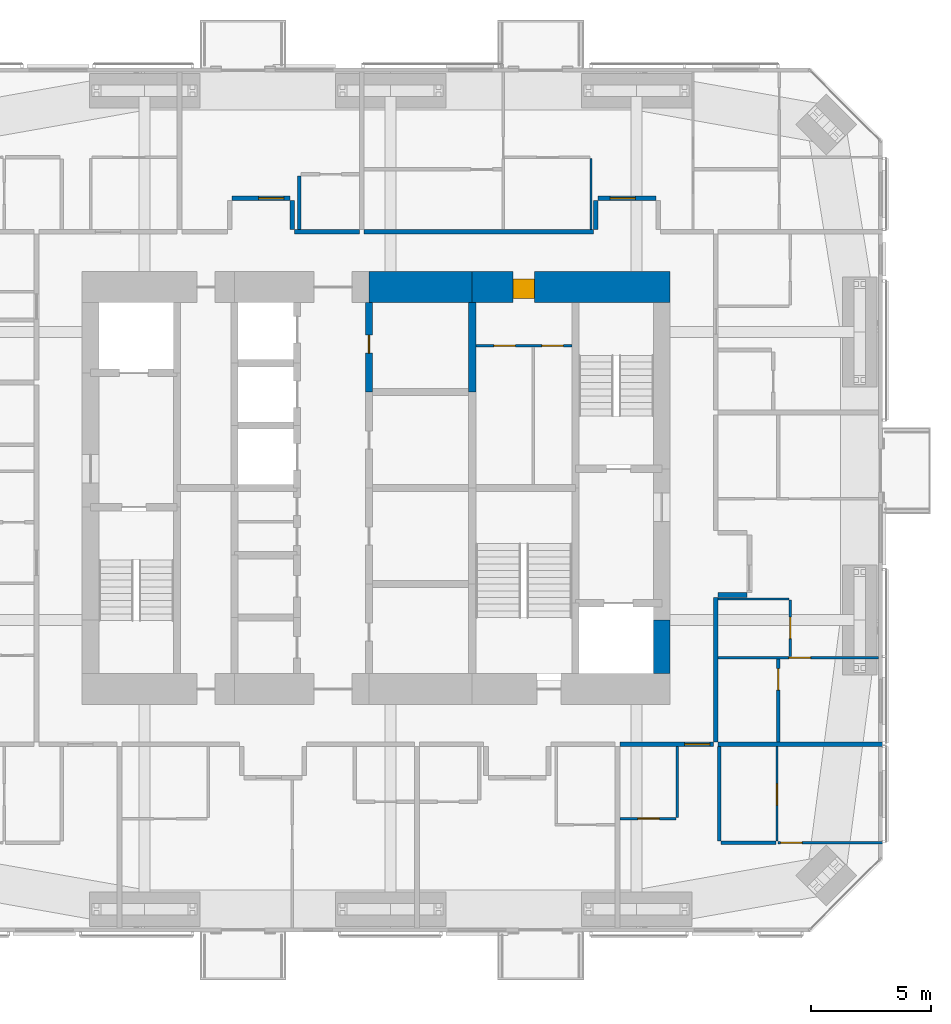
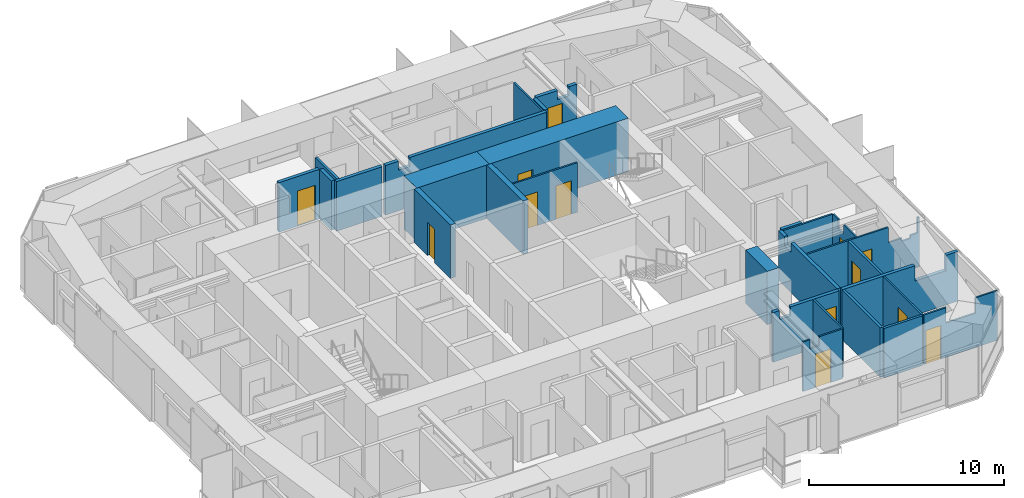
# One storey, part 19 of 23: 28 walls, 13 doors, 13 openings.
"""IFC4 building model written with IfcOpenShell, lengths in metres."""

from ifc_helpers import new_model, si_unit, direction, frame, frame_2d, origin, place, context, subcontext, project, spatial, polyline, rectangle, outline, extrude, material, layer, layer_set, constituent, constituent_set, type_object, element, fill, save


model = new_model("IFC4")

# Units and contexts
model_context = context("Model", 3, precision=1e-05, world=origin(), true_north=direction((0.0, 1.0)))
body_context = subcontext(model_context, "Body", "Model", "MODEL_VIEW")
ifc_project = project(units=[si_unit("LENGTHUNIT", "METRE"), si_unit("AREAUNIT", "SQUARE_METRE"), si_unit("VOLUMEUNIT", "CUBIC_METRE"), si_unit("PLANEANGLEUNIT", "RADIAN"), si_unit("MASSUNIT", "GRAM", prefix="KILO")], contexts=[model_context])

# Site, building, storey
site_placement = place(None, origin())
site = spatial("IfcSite", under=ifc_project, at=site_placement, CompositionType="ELEMENT")
building_placement = place(site_placement, origin())
building = spatial("IfcBuilding", under=site, at=building_placement, Name="Jalousie Tower", CompositionType="ELEMENT")
storey_placement = place(building_placement, frame((0.0, 0.0, 167.75)))
storey = spatial("IfcBuildingStorey", under=building, at=storey_placement, Name="L45", CompositionType="ELEMENT", Elevation=167.75)

# Walls
ifc_material_1 = material(Name="Concrete block ASTM C90", Category="concrete")
ifc_constituent_1 = constituent(ifc_material_1, Name="Body")
ifc_material_2 = material(Name="Render")
ifc_constituent_2 = constituent(ifc_material_2, Name="Finish")
ifc_constituent_set_1 = constituent_set(constituents=[ifc_constituent_1, ifc_constituent_2])
wall_type_1 = type_object("IfcWallType", Name="BATHROOM WALL 150", PredefinedType="PLUMBINGWALL", material=ifc_constituent_set_1)
wall_1_placement = place(storey_placement, frame((46.27490234375, 3.72119140625, 0.0), z_axis=(0.0, 0.0, 1.0), x_axis=(1.0, 0.0, 0.0)))
element("IfcWall", 1, at=wall_1_placement, inside=storey, type_object=wall_type_1, Name="Bathroom Wall 150 L45", PredefinedType="PLUMBINGWALL", context=body_context, shape_type="SweptSolid", body=[
    extrude(rectangle(XDim=2.275146484375, YDim=0.14990234375, at=frame_2d((1.1376953125, 0.0))), origin(), (0.0, 0.0, 1.0), 3.110107421875),
])
wall_2_placement = place(storey_placement, frame((46.199951171875, 3.79638671875, 0.0), z_axis=(0.0, 0.0, 1.0), x_axis=(0.0, 1.0, 0.0)))
element("IfcWall", 2, at=wall_2_placement, inside=storey, type_object=wall_type_1, Name="Bathroom Wall 150 L45", PredefinedType="PLUMBINGWALL", context=body_context, shape_type="SweptSolid", body=[
    extrude(rectangle(XDim=3.9287109375, YDim=0.14990234375, at=frame_2d((1.96435546875, 0.0))), origin(), (0.0, 0.0, 1.0), 3.110107421875),
])
wall_3_placement = place(storey_placement, frame((28.699951171875, 31.5, 0.0), z_axis=(0.0, 0.0, 1.0), x_axis=(0.0, -1.0, 0.0)))
element("IfcWall", 3, at=wall_3_placement, inside=storey, type_object=wall_type_1, Name="Bathroom Wall 150 L45", PredefinedType="PLUMBINGWALL", context=body_context, shape_type="SweptSolid", body=[
    extrude(rectangle(XDim=2.22509765625, YDim=0.14990234375, at=frame_2d((1.112548828125, 0.0))), origin(), (0.0, 0.0, 1.0), 3.110107421875),
])

# Wall, opening, door
wall_4_placement = place(storey_placement, frame((48.64990234375, 7.925048828125, 0.0), z_axis=(0.0, 0.0, 1.0), x_axis=(0.0, 1.0, 0.0)))
wall_4 = element("IfcWall", 4, at=wall_4_placement, inside=storey, type_object=wall_type_1, Name="Bathroom Wall 150 L45", PredefinedType="PLUMBINGWALL", context=body_context, shape_type="SweptSolid", body=[
    extrude(rectangle(XDim=3.449951171875, YDim=0.14990234375, at=frame_2d((1.72509765625, 0.0))), origin(), (0.0, 0.0, 1.0), 3.110107421875),
])
opening_1_placement = place(wall_4_placement, frame((2.14990234375, 0.0, 0.0)))
opening_1 = element("IfcOpeningElement", 5, at=opening_1_placement, cuts=wall_4, Name="Opening D3", PredefinedType="OPENING", context=body_context, shape_type="SweptSolid", body=[
    extrude(rectangle(XDim=0.89990234375, YDim=2.10009765625, at=frame_2d((0.449951171875, 1.050048828125))), frame((0.0, 0.0849609375, 0.0), z_axis=(0.0, -1.0, 0.0), x_axis=(1.0, 0.0, 0.0)), (0.0, 0.0, 1.0), 0.169921875),
])
ifc_material_3 = material(Name="Timber door", Category="wood")
door_type_1 = type_object("IfcDoorType", Name="BATHROOM DOOR 900", OperationType="SINGLE_SWING_LEFT", PredefinedType="DOOR", material=ifc_material_3)
door_1_placement = place(opening_1_placement, origin())
door_1 = element("IfcDoor", 6, at=door_1_placement, inside=storey, type_object=door_type_1, Name="Apartment 4510 bedroom 1 bathroom door", OperationType="SINGLE_SWING_RIGHT", OverallHeight=2.10009765625, OverallWidth=0.89990234375, PredefinedType="DOOR", context=body_context, shape_type="SweptSolid", body=[
    extrude(rectangle(XDim=0.89990234375, YDim=2.10009765625, at=frame_2d((0.449951171875, 1.050048828125))), frame((0.0, 0.02490234375, 0.0), z_axis=(0.0, -1.0, 0.0), x_axis=(1.0, 0.0, 0.0)), (0.0, 0.0, 1.0), 0.050048828125),
])
fill(opening_1, door_1)

ifc_material_4 = material(Name="Concrete f'c 120 MPa", Category="concrete")
ifc_layer_1 = layer(ifc_material_4, 1.300048828125)
ifc_layer_set_1 = layer_set([ifc_layer_1], Name="Concrete f'c 120 MPa")
wall_type_2 = type_object("IfcWallType", Name="CORE WALL 1300", PredefinedType="SHEAR", material=ifc_layer_set_1)
wall_5_placement = place(storey_placement, frame((44.14990234375, 26.875, 0.0), z_axis=(0.0, 0.0, 1.0), x_axis=(-1.0, 0.0, 0.0)))
wall_5 = element("IfcWall", 7, at=wall_5_placement, inside=storey, type_object=wall_type_2, Name="Core wall NA L45", PredefinedType="SHEAR", context=body_context, shape_type="SweptSolid", body=[
    extrude(rectangle(XDim=8.25, YDim=1.300048828125, at=frame_2d((4.125, 0.0))), origin(), (0.0, 0.0, 1.0), 3.35009765625),
])
opening_2_placement = place(wall_5_placement, frame((5.64990234375, 0.0, 0.0)))
opening_2 = element("IfcOpeningElement", 8, at=opening_2_placement, cuts=wall_5, Name="Opening D25", PredefinedType="OPENING", context=body_context, shape_type="SweptSolid", body=[
    extrude(rectangle(XDim=0.89990234375, YDim=2.10009765625, at=frame_2d((0.449951171875, 1.050048828125))), frame((0.0, 0.659912109375, 0.0), z_axis=(0.0, -1.0, 0.0), x_axis=(1.0, 0.0, 0.0)), (0.0, 0.0, 1.0), 1.320068359375),
])
ifc_material_5 = material(Name="Steel fire door", Category="steel")
door_type_2 = type_object("IfcDoorType", Name="SERVICE LOBBY DOOR 900", OperationType="SINGLE_SWING_LEFT", PredefinedType="DOOR", material=ifc_material_5)
door_2_placement = place(opening_2_placement, origin())
door_2 = element("IfcDoor", 9, at=door_2_placement, inside=storey, type_object=door_type_2, Name="Service lobby door", OperationType="SINGLE_SWING_RIGHT", OverallHeight=2.10009765625, OverallWidth=0.89990234375, PredefinedType="DOOR", context=body_context, shape_type="SweptSolid", body=[
    extrude(rectangle(XDim=0.89990234375, YDim=2.10009765625, at=frame_2d((0.449951171875, 1.050048828125))), frame((0.0, 0.47021484375, 0.0), z_axis=(0.0, -1.0, 0.0), x_axis=(1.0, 0.0, 0.0)), (0.0, 0.0, 1.0), 0.800048828125),
])
fill(opening_2, door_2)

# Wall
wall_6_placement = place(storey_placement, frame((35.89990234375, 26.875, 0.0), z_axis=(0.0, 0.0, 1.0), x_axis=(-1.0, 0.0, 0.0)))
element("IfcWall", 10, at=wall_6_placement, inside=storey, type_object=wall_type_2, Name="Core wall NB L45", PredefinedType="SHEAR", context=body_context, shape_type="SweptSolid", body=[
    extrude(rectangle(XDim=4.2998046875, YDim=1.300048828125, at=frame_2d((2.14990234375, 0.0))), origin(), (0.0, 0.0, 1.0), 3.35009765625),
])

# Wall, opening, door
ifc_material_6 = material(Name="Concrete f'c 120 MPa", Category="concrete")
ifc_layer_2 = layer(ifc_material_6, 0.300048828125)
ifc_layer_set_2 = layer_set([ifc_layer_2], Name="Concrete f'c 120 MPa")
wall_type_3 = type_object("IfcWallType", Name="CORE WALL 300", PredefinedType="SHEAR", material=ifc_layer_set_2)
wall_7_placement = place(storey_placement, frame((31.60009765625, 22.5, 0.0), z_axis=(0.0, 0.0, 1.0), x_axis=(0.0, 1.0, 0.0)))
wall_7 = element("IfcWall", 11, at=wall_7_placement, inside=storey, type_object=wall_type_3, Name="Core wall X31.6D L45", PredefinedType="SHEAR", context=body_context, shape_type="SweptSolid", body=[
    extrude(rectangle(XDim=3.72509765625, YDim=0.300048828125, at=frame_2d((1.862548828125, 0.0))), origin(), (0.0, 0.0, 1.0), 3.35009765625),
])
opening_3_placement = place(wall_7_placement, frame((1.625, 0.0, 0.0)))
opening_3 = element("IfcOpeningElement", 12, at=opening_3_placement, cuts=wall_7, Name="Opening D16", PredefinedType="OPENING", context=body_context, shape_type="SweptSolid", body=[
    extrude(rectangle(XDim=0.75, YDim=2.10009765625, at=frame_2d((0.375, 1.050048828125))), frame((0.0, 0.159912109375, 0.0), z_axis=(0.0, -1.0, 0.0), x_axis=(1.0, 0.0, 0.0)), (0.0, 0.0, 1.0), 0.320068359375),
])
ifc_material_7 = material(Name="Steel fire door", Category="steel")
door_type_3 = type_object("IfcDoorType", Name="RISER DOOR 750", OperationType="SINGLE_SWING_LEFT", PredefinedType="DOOR", material=ifc_material_7)
door_3_placement = place(opening_3_placement, frame((0.75, 0.0, 0.0), z_axis=(0.0, 0.0, 1.0), x_axis=(-1.0, 0.0, 0.0)))
door_3 = element("IfcDoor", 13, at=door_3_placement, inside=storey, type_object=door_type_3, Name="Water Services Room door", OperationType="SINGLE_SWING_LEFT", OverallHeight=2.10009765625, OverallWidth=0.75, PredefinedType="DOOR", context=body_context, shape_type="SweptSolid", body=[
    extrude(rectangle(XDim=0.75, YDim=2.10009765625, at=frame_2d((0.375, 1.050048828125))), frame((0.0, 0.02490234375, 0.0), z_axis=(0.0, -1.0, 0.0), x_axis=(1.0, 0.0, 0.0)), (0.0, 0.0, 1.0), 0.050048828125),
])
fill(opening_3, door_3)

# Walls
wall_8_placement = place(storey_placement, frame((35.89990234375, 22.5, 0.0), z_axis=(0.0, 0.0, 1.0), x_axis=(0.0, 1.0, 0.0)))
element("IfcWall", 14, at=wall_8_placement, inside=storey, type_object=wall_type_3, Name="Core wall X35.9D L45", PredefinedType="SHEAR", context=body_context, shape_type="SweptSolid", body=[
    extrude(rectangle(XDim=3.72509765625, YDim=0.300048828125, at=frame_2d((1.862548828125, 0.0))), origin(), (0.0, 0.0, 1.0), 3.35009765625),
])
ifc_material_8 = material(Name="Concrete f'c 120 MPa", Category="concrete")
ifc_layer_3 = layer(ifc_material_8, 0.699951171875)
ifc_layer_set_3 = layer_set([ifc_layer_3], Name="Concrete f'c 120 MPa")
wall_type_4 = type_object("IfcWallType", Name="CORE WALL 700", PredefinedType="SHEAR", material=ifc_layer_set_3)
wall_9_placement = place(storey_placement, frame((43.800048828125, 10.77490234375, 0.0), z_axis=(0.0, 0.0, 1.0), x_axis=(0.0, 1.0, 0.0)))
element("IfcWall", 15, at=wall_9_placement, inside=storey, type_object=wall_type_4, Name="Core wall EA L45", PredefinedType="SHEAR", context=body_context, shape_type="SweptSolid", body=[
    extrude(rectangle(XDim=2.22509765625, YDim=0.699951171875, at=frame_2d((1.112548828125, 0.0))), origin(), (0.0, 0.0, 1.0), 3.35009765625),
])

# Wall, opening, door
ifc_material_9 = material(Name="Concrete block ASTM C90", Category="concrete")
ifc_constituent_3 = constituent(ifc_material_9, Name="Body")
ifc_material_10 = material(Name="Render")
ifc_constituent_4 = constituent(ifc_material_10, Name="Finish")
ifc_constituent_set_2 = constituent_set(constituents=[ifc_constituent_3, ifc_constituent_4])
wall_type_5 = type_object("IfcWallType", Name="CORRIDOR WALL 200", PredefinedType="PARTITIONING", material=ifc_constituent_set_2)
wall_10_placement = place(storey_placement, frame((42.050048828125, 7.824951171875, 0.0), z_axis=(0.0, 0.0, 1.0), x_axis=(1.0, 0.0, 0.0)))
wall_10 = element("IfcWall", 16, at=wall_10_placement, inside=storey, type_object=wall_type_5, Name="Corridor Wall 200 L45", PredefinedType="PARTITIONING", context=body_context, shape_type="SweptSolid", body=[
    extrude(outline(polyline([(0.0, 0.0), (3.89990234375, 0.0), (3.89990234375, 3.110107421875), (1.037353515625, 3.110107421875), (1.037353515625, 2.541015625), (0.362548828125, 2.541015625), (0.362548828125, 3.110107421875), (0.0, 3.110107421875), (0.0, 0.0)])), frame((0.0, 0.10009765625, 0.0), z_axis=(0.0, -1.0, 0.0), x_axis=(1.0, 0.0, 0.0)), (0.0, 0.0, 1.0), 0.199951171875),
])
opening_4_placement = place(wall_10_placement, frame((2.699951171875, 0.0, 0.0)))
opening_4 = element("IfcOpeningElement", 17, at=opening_4_placement, cuts=wall_10, Name="Opening D1", PredefinedType="OPENING", context=body_context, shape_type="SweptSolid", body=[
    extrude(rectangle(XDim=1.050048828125, YDim=2.199951171875, at=frame_2d((0.52490234375, 1.10009765625))), frame((0.0, 0.10986328125, 0.0), z_axis=(0.0, -1.0, 0.0), x_axis=(1.0, 0.0, 0.0)), (0.0, 0.0, 1.0), 0.219970703125),
])
ifc_material_11 = material(Name="Timber fire door", Category="wood")
door_type_4 = type_object("IfcDoorType", Name="APARTMENT ENTRANCE DOOR 1050", OperationType="SINGLE_SWING_LEFT", PredefinedType="DOOR", material=ifc_material_11)
door_4_placement = place(opening_4_placement, frame((1.050048828125, 0.0, 0.0), z_axis=(0.0, 0.0, 1.0), x_axis=(-1.0, 0.0, 0.0)))
door_4 = element("IfcDoor", 18, at=door_4_placement, inside=storey, type_object=door_type_4, Name="Apartment 4504 entrance", OperationType="SINGLE_SWING_RIGHT", OverallHeight=2.199951171875, OverallWidth=1.050048828125, PredefinedType="DOOR", context=body_context, shape_type="SweptSolid", body=[
    extrude(rectangle(XDim=1.050048828125, YDim=2.199951171875, at=frame_2d((0.52490234375, 1.10009765625))), frame((0.0, 0.02490234375, 0.0), z_axis=(0.0, -1.0, 0.0), x_axis=(1.0, 0.0, 0.0)), (0.0, 0.0, 1.0), 0.050048828125),
])
fill(opening_4, door_4)

# Walls
wall_11_placement = place(storey_placement, frame((31.39990234375, 29.175048828125, 0.0), z_axis=(0.0, 0.0, 1.0), x_axis=(1.0, 0.0, 0.0)))
element("IfcWall", 19, at=wall_11_placement, inside=storey, type_object=wall_type_5, Name="Corridor Wall 200 L45", PredefinedType="PARTITIONING", context=body_context, shape_type="SweptSolid", body=[
    extrude(outline(polyline([(0.0, 0.0), (9.550048828125, 0.0), (9.550048828125, 3.110107421875), (1.437255859375, 3.110107421875), (1.437255859375, 2.541015625), (0.7626953125, 2.541015625), (0.7626953125, 3.110107421875), (0.0, 3.110107421875), (0.0, 0.0)])), frame((0.0, 0.10009765625, 0.0), z_axis=(0.0, -1.0, 0.0), x_axis=(1.0, 0.0, 0.0)), (0.0, 0.0, 1.0), 0.199951171875),
])
wall_12_placement = place(storey_placement, frame((46.050048828125, 7.925048828125, 0.0), z_axis=(0.0, 0.0, 1.0), x_axis=(0.0, 1.0, 0.0)))
element("IfcWall", 20, at=wall_12_placement, inside=storey, type_object=wall_type_5, Name="Corridor Wall 200 L45", PredefinedType="PARTITIONING", context=body_context, shape_type="SweptSolid", body=[
    extrude(outline(polyline([(0.0, 0.0), (6.012451171875, 0.0), (6.012451171875, 3.110107421875), (5.412353515625, 3.110107421875), (5.412353515625, 2.541015625), (4.73779296875, 2.541015625), (4.73779296875, 3.110107421875), (0.0, 3.110107421875), (0.0, 0.0)])), frame((0.0, 0.10009765625, 0.0), z_axis=(0.0, -1.0, 0.0), x_axis=(1.0, 0.0, 0.0)), (0.0, 0.0, 1.0), 0.199951171875),
])
wall_13_placement = place(storey_placement, frame((28.5, 29.175048828125, 0.0), z_axis=(0.0, 0.0, 1.0), x_axis=(1.0, 0.0, 0.0)))
element("IfcWall", 21, at=wall_13_placement, inside=storey, type_object=wall_type_5, Name="Corridor Wall 200 L45", PredefinedType="PARTITIONING", context=body_context, shape_type="SweptSolid", body=[
    extrude(rectangle(XDim=2.699951171875, YDim=0.199951171875, at=frame_2d((1.35009765625, 0.0))), origin(), (0.0, 0.0, 1.0), 3.110107421875),
])

# Wall, opening, door
wall_14_placement = place(storey_placement, frame((25.89990234375, 30.574951171875, 0.0), z_axis=(0.0, 0.0, 1.0), x_axis=(1.0, 0.0, 0.0)))
wall_14 = element("IfcWall", 22, at=wall_14_placement, inside=storey, type_object=wall_type_5, Name="Corridor Wall 200 L45", PredefinedType="PARTITIONING", context=body_context, shape_type="SweptSolid", body=[
    extrude(rectangle(XDim=2.400146484375, YDim=0.199951171875, at=frame_2d((1.2001953125, 0.0))), origin(), (0.0, 0.0, 1.0), 3.110107421875),
])
opening_5_placement = place(wall_14_placement, frame((1.10009765625, 0.0, 0.0)))
opening_5 = element("IfcOpeningElement", 23, at=opening_5_placement, cuts=wall_14, Name="Opening D1", PredefinedType="OPENING", context=body_context, shape_type="SweptSolid", body=[
    extrude(rectangle(XDim=1.050048828125, YDim=2.199951171875, at=frame_2d((0.52490234375, 1.10009765625))), frame((0.0, 0.10986328125, 0.0), z_axis=(0.0, -1.0, 0.0), x_axis=(1.0, 0.0, 0.0)), (0.0, 0.0, 1.0), 0.219970703125),
])
door_5_placement = place(opening_5_placement, origin())
door_5 = element("IfcDoor", 24, at=door_5_placement, inside=storey, type_object=door_type_4, Name="Apartment 4506 entrance", OperationType="SINGLE_SWING_RIGHT", OverallHeight=2.199951171875, OverallWidth=1.050048828125, PredefinedType="DOOR", context=body_context, shape_type="SweptSolid", body=[
    extrude(rectangle(XDim=1.050048828125, YDim=2.199951171875, at=frame_2d((0.52490234375, 1.10009765625))), frame((0.0, 0.02490234375, 0.0), z_axis=(0.0, -1.0, 0.0), x_axis=(1.0, 0.0, 0.0)), (0.0, 0.0, 1.0), 0.050048828125),
])
fill(opening_5, door_5)

# Wall
wall_15_placement = place(storey_placement, frame((28.39990234375, 29.27490234375, 0.0), z_axis=(0.0, 0.0, 1.0), x_axis=(0.0, 1.0, 0.0)))
element("IfcWall", 25, at=wall_15_placement, inside=storey, type_object=wall_type_5, Name="Corridor Wall 200 L45", PredefinedType="PARTITIONING", context=body_context, shape_type="SweptSolid", body=[
    extrude(rectangle(XDim=1.2001953125, YDim=0.199951171875, at=frame_2d((0.60009765625, 0.0))), origin(), (0.0, 0.0, 1.0), 3.110107421875),
])

# Wall, opening, door
wall_16_placement = place(storey_placement, frame((41.14990234375, 30.574951171875, 0.0), z_axis=(0.0, 0.0, 1.0), x_axis=(1.0, 0.0, 0.0)))
wall_16 = element("IfcWall", 26, at=wall_16_placement, inside=storey, type_object=wall_type_5, Name="Corridor Wall 200 L45", PredefinedType="PARTITIONING", context=body_context, shape_type="SweptSolid", body=[
    extrude(outline(polyline([(0.0, 0.0), (2.400146484375, 0.0), (2.39990234375, 3.110107421875), (1.9375, 3.110107421875), (1.9375, 2.541015625), (1.2626953125, 2.541015625), (1.2626953125, 3.110107421875), (0.0, 3.110107421875), (0.0, 0.0)])), frame((0.0, 0.10009765625, 0.0), z_axis=(0.0, -1.0, 0.0), x_axis=(1.0, 0.0, 0.0)), (0.0, 0.0, 1.0), 0.199951171875),
])
opening_6_placement = place(wall_16_placement, frame((0.5, 0.0, 0.0)))
opening_6 = element("IfcOpeningElement", 27, at=opening_6_placement, cuts=wall_16, Name="Opening D1", PredefinedType="OPENING", context=body_context, shape_type="SweptSolid", body=[
    extrude(rectangle(XDim=1.050048828125, YDim=2.199951171875, at=frame_2d((0.52490234375, 1.10009765625))), frame((0.0, 0.10986328125, 0.0), z_axis=(0.0, -1.0, 0.0), x_axis=(1.0, 0.0, 0.0)), (0.0, 0.0, 1.0), 0.219970703125),
])
door_6_placement = place(opening_6_placement, origin())
door_6 = element("IfcDoor", 28, at=door_6_placement, inside=storey, type_object=door_type_4, Name="Apartment 4507 entrance", OperationType="SINGLE_SWING_LEFT", OverallHeight=2.199951171875, OverallWidth=1.050048828125, PredefinedType="DOOR", context=body_context, shape_type="SweptSolid", body=[
    extrude(rectangle(XDim=1.050048828125, YDim=2.199951171875, at=frame_2d((0.52490234375, 1.10009765625))), frame((0.0, 0.02490234375, 0.0), z_axis=(0.0, -1.0, 0.0), x_axis=(1.0, 0.0, 0.0)), (0.0, 0.0, 1.0), 0.050048828125),
])
fill(opening_6, door_6)

# Walls
for number, where, z_axis, x_axis, name in (
    (29, (41.050048828125, 29.27490234375, 0.0), (0.0, 0.0, 1.0), (0.0, 1.0, 0.0), "Corridor Wall 200 L45"),
    (30, (46.14990234375, 14.03759765625, 0.0), (0.0, 0.0, 1.0), (1.0, 0.0, 0.0), "Corridor Wall 200 L45"),
):
    element("IfcWall", number, at=place(storey_placement, frame(where, z_axis=z_axis, x_axis=x_axis)), inside=storey, type_object=wall_type_5, Name=name, PredefinedType="PARTITIONING", context=body_context, shape_type="SweptSolid", body=[
        extrude(rectangle(XDim=1.2001953125, YDim=0.199951171875, at=frame_2d((0.60009765625, 0.0))), origin(), (0.0, 0.0, 1.0), 3.110107421875),
    ])

# Wall, opening, door
ifc_material_12 = material(Name="Gypsum board", Category="gypsum")
ifc_constituent_5 = constituent(ifc_material_12, Name="Body")
ifc_material_13 = material(Name="Light-gauge steel studs ASTM A653 SS Grade 33", Category="steel")
ifc_constituent_6 = constituent(ifc_material_13, Name="Framing")
ifc_constituent_set_3 = constituent_set(constituents=[ifc_constituent_5, ifc_constituent_6])
wall_type_6 = type_object("IfcWallType", Name="PARTITION 100", PredefinedType="PARTITIONING", material=ifc_constituent_set_3)
wall_17_placement = place(storey_placement, frame((48.60009765625, 3.79638671875, 0.0), z_axis=(0.0, 0.0, 1.0), x_axis=(0.0, 1.0, 0.0)))
wall_17 = element("IfcWall", 31, at=wall_17_placement, inside=storey, type_object=wall_type_6, Name="Partition 100 L45", PredefinedType="PARTITIONING", context=body_context, shape_type="SweptSolid", body=[
    extrude(rectangle(XDim=3.9287109375, YDim=0.10009765625, at=frame_2d((1.96435546875, 0.0))), origin(), (0.0, 0.0, 1.0), 3.110107421875),
])
opening_7_placement = place(wall_17_placement, frame((1.476806640625, 0.0, 0.0)))
opening_7 = element("IfcOpeningElement", 32, at=opening_7_placement, cuts=wall_17, Name="Opening D3", PredefinedType="OPENING", context=body_context, shape_type="SweptSolid", body=[
    extrude(rectangle(XDim=0.89990234375, YDim=2.10009765625, at=frame_2d((0.449951171875, 1.050048828125))), frame((0.0, 0.06005859375, 0.0), z_axis=(0.0, -1.0, 0.0), x_axis=(1.0, 0.0, 0.0)), (0.0, 0.0, 1.0), 0.1201171875),
])
door_7_placement = place(opening_7_placement, origin())
door_7 = element("IfcDoor", 33, at=door_7_placement, inside=storey, type_object=door_type_1, Name="Apartment 4504 bedroom 1 bathroom door", OperationType="SINGLE_SWING_LEFT", OverallHeight=2.10009765625, OverallWidth=0.89990234375, PredefinedType="DOOR", context=body_context, shape_type="SweptSolid", body=[
    extrude(rectangle(XDim=0.89990234375, YDim=2.10009765625, at=frame_2d((0.449951171875, 1.050048828125))), frame((0.0, 0.02490234375, 0.0), z_axis=(0.0, -1.0, 0.0), x_axis=(1.0, 0.0, 0.0)), (0.0, 0.0, 1.0), 0.050048828125),
])
fill(opening_7, door_7)

wall_18_placement = place(storey_placement, frame((48.64990234375, 3.72119140625, 0.0), z_axis=(0.0, 0.0, 1.0), x_axis=(1.0, 0.0, 0.0)))
wall_18 = element("IfcWall", 34, at=wall_18_placement, inside=storey, type_object=wall_type_6, Name="Partition 100 L45", PredefinedType="PARTITIONING", context=body_context, shape_type="SweptSolid", body=[
    extrude(outline(polyline([(0.0, 0.0), (4.35009765625, 0.0), (4.35009765625, 3.110107421875), (3.049072265625, 3.110107421875), (3.049072265625, 2.14990234375), (1.314453125, 2.14990234375), (1.314453125, 3.110107421875), (0.0, 3.110107421875), (0.0, 0.0)])), frame((0.0, 0.050048828125, 0.0), z_axis=(0.0, -1.0, 0.0), x_axis=(1.0, 0.0, 0.0)), (0.0, 0.0, 1.0), 0.10009765625),
])
opening_8_placement = place(wall_18_placement, frame((0.10009765625, 0.0, 0.0)))
opening_8 = element("IfcOpeningElement", 35, at=opening_8_placement, cuts=wall_18, Name="Opening D2", PredefinedType="OPENING", context=body_context, shape_type="SweptSolid", body=[
    extrude(rectangle(XDim=0.89990234375, YDim=2.10009765625, at=frame_2d((0.449951171875, 1.050048828125))), frame((0.0, 0.06005859375, 0.0), z_axis=(0.0, -1.0, 0.0), x_axis=(1.0, 0.0, 0.0)), (0.0, 0.0, 1.0), 0.1201171875),
])
ifc_material_14 = material(Name="Timber door", Category="wood")
door_type_5 = type_object("IfcDoorType", Name="BEDROOM DOOR 900", OperationType="SINGLE_SWING_LEFT", PredefinedType="DOOR", material=ifc_material_14)
door_8_placement = place(opening_8_placement, origin())
door_8 = element("IfcDoor", 36, at=door_8_placement, inside=storey, type_object=door_type_5, Name="Apartment 4504 bedroom 1 door", OperationType="SINGLE_SWING_LEFT", OverallHeight=2.10009765625, OverallWidth=0.89990234375, PredefinedType="DOOR", context=body_context, shape_type="SweptSolid", body=[
    extrude(rectangle(XDim=0.89990234375, YDim=2.10009765625, at=frame_2d((0.449951171875, 1.050048828125))), frame((0.0, 0.02490234375, 0.0), z_axis=(0.0, -1.0, 0.0), x_axis=(1.0, 0.0, 0.0)), (0.0, 0.0, 1.0), 0.050048828125),
])
fill(opening_8, door_8)

wall_19_placement = place(storey_placement, frame((42.050048828125, 4.72509765625, 0.0), z_axis=(0.0, 0.0, 1.0), x_axis=(1.0, 0.0, 0.0)))
wall_19 = element("IfcWall", 37, at=wall_19_placement, inside=storey, type_object=wall_type_6, Name="Partition 100 L45", PredefinedType="PARTITIONING", context=body_context, shape_type="SweptSolid", body=[
    extrude(outline(polyline([(0.0, 0.0), (2.349853515625, 0.0), (2.35009765625, 3.110107421875), (0.9873046875, 3.110107421875), (0.9873046875, 2.541015625), (0.41259765625, 2.541015625), (0.41259765625, 3.110107421875), (0.0, 3.110107421875), (0.0, 0.0)])), frame((0.0, 0.050048828125, 0.0), z_axis=(0.0, -1.0, 0.0), x_axis=(1.0, 0.0, 0.0)), (0.0, 0.0, 1.0), 0.10009765625),
])
opening_9_placement = place(wall_19_placement, frame((0.75, 0.0, 0.0)))
opening_9 = element("IfcOpeningElement", 38, at=opening_9_placement, cuts=wall_19, Name="Opening D7", PredefinedType="OPENING", context=body_context, shape_type="SweptSolid", body=[
    extrude(rectangle(XDim=0.89990234375, YDim=2.10009765625, at=frame_2d((0.449951171875, 1.050048828125))), frame((0.0, 0.06005859375, 0.0), z_axis=(0.0, -1.0, 0.0), x_axis=(1.0, 0.0, 0.0)), (0.0, 0.0, 1.0), 0.1201171875),
])
ifc_material_15 = material(Name="Timber door", Category="wood")
door_type_6 = type_object("IfcDoorType", Name="INTERNAL DOOR 900", OperationType="SINGLE_SWING_LEFT", PredefinedType="DOOR", material=ifc_material_15)
door_9_placement = place(opening_9_placement, frame((0.89990234375, 0.0, 0.0), z_axis=(0.0, 0.0, 1.0), x_axis=(-1.0, 0.0, 0.0)))
door_9 = element("IfcDoor", 39, at=door_9_placement, inside=storey, type_object=door_type_6, Name="Apartment 4504 kitchen door", OperationType="SINGLE_SWING_RIGHT", OverallHeight=2.10009765625, OverallWidth=0.89990234375, PredefinedType="DOOR", context=body_context, shape_type="SweptSolid", body=[
    extrude(rectangle(XDim=0.89990234375, YDim=2.10009765625, at=frame_2d((0.449951171875, 1.050048828125))), frame((0.0, 0.02490234375, 0.0), z_axis=(0.0, -1.0, 0.0), x_axis=(1.0, 0.0, 0.0)), (0.0, 0.0, 1.0), 0.050048828125),
])
fill(opening_9, door_9)

# Walls
for number, where, z_axis, x_axis, name in (
    (40, (44.449951171875, 4.77490234375, 0.0), (0.0, 0.0, 1.0), (0.0, 1.0, 0.0), "Partition 100 L45"),
    (41, (40.85009765625, 32.22509765625, 0.0), (0.0, 0.0, 1.0), (0.0, -1.0, 0.0), "Partition 100 L45"),
):
    element("IfcWall", number, at=place(storey_placement, frame(where, z_axis=z_axis, x_axis=x_axis)), inside=storey, type_object=wall_type_6, Name=name, PredefinedType="PARTITIONING", context=body_context, shape_type="SweptSolid", body=[
        extrude(rectangle(XDim=2.9501953125, YDim=0.10009765625, at=frame_2d((1.47509765625, 0.0))), origin(), (0.0, 0.0, 1.0), 3.110107421875),
    ])

# Wall, opening, door
wall_20_placement = place(storey_placement, frame((52.824951171875, 11.425048828125, 0.0), z_axis=(0.0, 0.0, 1.0), x_axis=(-1.0, 0.0, 0.0)))
wall_20 = element("IfcWall", 42, at=wall_20_placement, inside=storey, type_object=wall_type_6, Name="Partition 100 L45", PredefinedType="PARTITIONING", context=body_context, shape_type="SweptSolid", body=[
    extrude(outline(polyline([(0.114501953125, 3.110107421875), (0.0, 3.110107421875), (0.0, 0.0), (0.52880859375, 0.0), (0.52880859375, 0.185546875), (1.021240234375, 0.185546875), (1.021240234375, 0.0), (6.675048828125, 0.0), (6.675048828125, 3.110107421875), (1.84912109375, 3.110107421875), (1.84912109375, 2.14990234375), (1.021240234375, 2.14990234375), (1.021240234375, 1.964599609375), (0.52880859375, 1.964599609375), (0.52880859375, 2.14990234375), (0.114501953125, 2.14990234375), (0.114501953125, 3.110107421875)])), frame((0.0, 0.050048828125, 0.0), z_axis=(0.0, -1.0, 0.0), x_axis=(1.0, 0.0, 0.0)), (0.0, 0.0, 1.0), 0.10009765625),
])
opening_10_placement = place(wall_20_placement, frame((2.824951171875, 0.0, 0.0)))
opening_10 = element("IfcOpeningElement", 43, at=opening_10_placement, cuts=wall_20, Name="Opening D2", PredefinedType="OPENING", context=body_context, shape_type="SweptSolid", body=[
    extrude(rectangle(XDim=0.89990234375, YDim=2.10009765625, at=frame_2d((0.449951171875, 1.050048828125))), frame((0.0, 0.06005859375, 0.0), z_axis=(0.0, -1.0, 0.0), x_axis=(1.0, 0.0, 0.0)), (0.0, 0.0, 1.0), 0.1201171875),
])
door_10_placement = place(opening_10_placement, origin())
door_10 = element("IfcDoor", 44, at=door_10_placement, inside=storey, type_object=door_type_5, Name="Apartment 4510 bedroom 1 door", OperationType="SINGLE_SWING_RIGHT", OverallHeight=2.10009765625, OverallWidth=0.89990234375, PredefinedType="DOOR", context=body_context, shape_type="SweptSolid", body=[
    extrude(rectangle(XDim=0.89990234375, YDim=2.10009765625, at=frame_2d((0.449951171875, 1.050048828125))), frame((0.0, 0.02490234375, 0.0), z_axis=(0.0, -1.0, 0.0), x_axis=(1.0, 0.0, 0.0)), (0.0, 0.0, 1.0), 0.050048828125),
])
fill(opening_10, door_10)

wall_21_placement = place(storey_placement, frame((49.14990234375, 11.47509765625, 0.0), z_axis=(0.0, 0.0, 1.0), x_axis=(0.0, 1.0, 0.0)))
wall_21 = element("IfcWall", 45, at=wall_21_placement, inside=storey, type_object=wall_type_6, Name="Partition 100 L45", PredefinedType="PARTITIONING", context=body_context, shape_type="SweptSolid", body=[
    extrude(outline(polyline([(0.0, 0.0), (2.349853515625, 0.0), (2.35009765625, 3.110107421875), (1.8125, 3.110107421875), (1.8125, 2.541015625), (1.23779296875, 2.541015625), (1.23779296875, 3.110107421875), (0.0, 3.110107421875), (0.0, 0.0)])), frame((0.0, 0.050048828125, 0.0), z_axis=(0.0, -1.0, 0.0), x_axis=(1.0, 0.0, 0.0)), (0.0, 0.0, 1.0), 0.10009765625),
])
opening_11_placement = place(wall_21_placement, frame((0.75, 0.0, 0.0)))
opening_11 = element("IfcOpeningElement", 46, at=opening_11_placement, cuts=wall_21, Name="Opening D7", PredefinedType="OPENING", context=body_context, shape_type="SweptSolid", body=[
    extrude(rectangle(XDim=0.89990234375, YDim=2.10009765625, at=frame_2d((0.449951171875, 1.050048828125))), frame((0.0, 0.06005859375, 0.0), z_axis=(0.0, -1.0, 0.0), x_axis=(1.0, 0.0, 0.0)), (0.0, 0.0, 1.0), 0.1201171875),
])
door_11_placement = place(opening_11_placement, frame((0.89990234375, 0.0, 0.0), z_axis=(0.0, 0.0, 1.0), x_axis=(-1.0, 0.0, 0.0)))
door_11 = element("IfcDoor", 47, at=door_11_placement, inside=storey, type_object=door_type_6, Name="Apartment 4510 kitchen door", OperationType="SINGLE_SWING_RIGHT", OverallHeight=2.10009765625, OverallWidth=0.89990234375, PredefinedType="DOOR", context=body_context, shape_type="SweptSolid", body=[
    extrude(rectangle(XDim=0.89990234375, YDim=2.10009765625, at=frame_2d((0.449951171875, 1.050048828125))), frame((0.0, 0.02490234375, 0.0), z_axis=(0.0, -1.0, 0.0), x_axis=(1.0, 0.0, 0.0)), (0.0, 0.0, 1.0), 0.050048828125),
])
fill(opening_11, door_11)

# Wall
wall_22_placement = place(storey_placement, frame((49.10009765625, 13.875, 0.0), z_axis=(0.0, 0.0, 1.0), x_axis=(-1.0, 0.0, 0.0)))
element("IfcWall", 48, at=wall_22_placement, inside=storey, type_object=wall_type_6, Name="Partition 100 L45", PredefinedType="PARTITIONING", context=body_context, shape_type="SweptSolid", body=[
    extrude(rectangle(XDim=2.9501953125, YDim=0.10009765625, at=frame_2d((1.47509765625, 0.0))), origin(), (0.0, 0.0, 1.0), 3.110107421875),
])

# Wall, openings, doors
wall_23_placement = place(storey_placement, frame((36.050048828125, 24.425048828125, 0.0), z_axis=(0.0, 0.0, 1.0), x_axis=(1.0, 0.0, 0.0)))
wall_23 = element("IfcWall", 49, at=wall_23_placement, inside=storey, type_object=wall_type_6, Name="Partition 100 L45", PredefinedType="PARTITIONING", context=body_context, shape_type="SweptSolid", body=[
    extrude(rectangle(XDim=4.0, YDim=0.10009765625, at=frame_2d((2.0, 0.0))), origin(), (0.0, 0.0, 1.0), 3.110107421875),
])
opening_12_placement = place(wall_23_placement, frame((0.75, 0.0, 0.0)))
opening_12 = element("IfcOpeningElement", 50, at=opening_12_placement, cuts=wall_23, Name="Opening D7", PredefinedType="OPENING", context=body_context, shape_type="SweptSolid", body=[
    extrude(rectangle(XDim=0.89990234375, YDim=2.10009765625, at=frame_2d((0.449951171875, 1.050048828125))), frame((0.0, 0.06005859375, 0.0), z_axis=(0.0, -1.0, 0.0), x_axis=(1.0, 0.0, 0.0)), (0.0, 0.0, 1.0), 0.1201171875),
])
opening_13_placement = place(wall_23_placement, frame((2.75, 0.0, 0.0)))
opening_13 = element("IfcOpeningElement", 51, at=opening_13_placement, cuts=wall_23, Name="Opening D7", PredefinedType="OPENING", context=body_context, shape_type="SweptSolid", body=[
    extrude(rectangle(XDim=0.89990234375, YDim=2.10009765625, at=frame_2d((0.449951171875, 1.050048828125))), frame((0.0, 0.06005859375, 0.0), z_axis=(0.0, -1.0, 0.0), x_axis=(1.0, 0.0, 0.0)), (0.0, 0.0, 1.0), 0.1201171875),
])
door_12_placement = place(opening_12_placement, frame((0.89990234375, 0.0, 0.0), z_axis=(0.0, 0.0, 1.0), x_axis=(-1.0, 0.0, 0.0)))
door_12 = element("IfcDoor", 52, at=door_12_placement, inside=storey, type_object=door_type_6, Name="IT room door", OperationType="SINGLE_SWING_LEFT", OverallHeight=2.10009765625, OverallWidth=0.89990234375, PredefinedType="DOOR", context=body_context, shape_type="SweptSolid", body=[
    extrude(rectangle(XDim=0.89990234375, YDim=2.10009765625, at=frame_2d((0.449951171875, 1.050048828125))), frame((0.0, 0.02490234375, 0.0), z_axis=(0.0, -1.0, 0.0), x_axis=(1.0, 0.0, 0.0)), (0.0, 0.0, 1.0), 0.050048828125),
])
fill(opening_12, door_12)
door_13_placement = place(opening_13_placement, frame((0.89990234375, 0.0, 0.0), z_axis=(0.0, 0.0, 1.0), x_axis=(-1.0, 0.0, 0.0)))
door_13 = element("IfcDoor", 53, at=door_13_placement, inside=storey, type_object=door_type_6, Name="Staff WC door", OperationType="SINGLE_SWING_RIGHT", OverallHeight=2.10009765625, OverallWidth=0.89990234375, PredefinedType="DOOR", context=body_context, shape_type="SweptSolid", body=[
    extrude(rectangle(XDim=0.89990234375, YDim=2.10009765625, at=frame_2d((0.449951171875, 1.050048828125))), frame((0.0, 0.02490234375, 0.0), z_axis=(0.0, -1.0, 0.0), x_axis=(1.0, 0.0, 0.0)), (0.0, 0.0, 1.0), 0.050048828125),
])
fill(opening_13, door_13)

# Wall
ifc_material_16 = material(Name="Concrete block ASTM C90", Category="concrete")
ifc_constituent_7 = constituent(ifc_material_16, Name="Body")
ifc_material_17 = material(Name="Render")
ifc_constituent_8 = constituent(ifc_material_17, Name="Finish")
ifc_constituent_set_4 = constituent_set(constituents=[ifc_constituent_7, ifc_constituent_8])
wall_type_7 = type_object("IfcWallType", Name="PARTY WALL 200", PredefinedType="PARTITIONING", material=ifc_constituent_set_4)
wall_24_placement = place(storey_placement, frame((46.14990234375, 7.824951171875, 0.0), z_axis=(0.0, 0.0, 1.0), x_axis=(1.0, 0.0, 0.0)))
element("IfcWall", 54, at=wall_24_placement, inside=storey, type_object=wall_type_7, Name="Party Wall 200 L45", PredefinedType="PARTITIONING", context=body_context, shape_type="SweptSolid", body=[
    extrude(outline(polyline([(0.0, 0.0), (6.85009765625, 0.0), (6.85009765625, 3.110107421875), (6.138427734375, 3.110107421875), (6.138427734375, 2.14990234375), (4.302734375, 2.14990234375), (4.302734375, 3.110107421875), (0.0, 3.110107421875), (0.0, 0.0)])), frame((0.0, 0.10009765625, 0.0), z_axis=(0.0, -1.0, 0.0), x_axis=(1.0, 0.0, 0.0)), (0.0, 0.0, 1.0), 0.199951171875),
])

save(model, "model.ifc")
